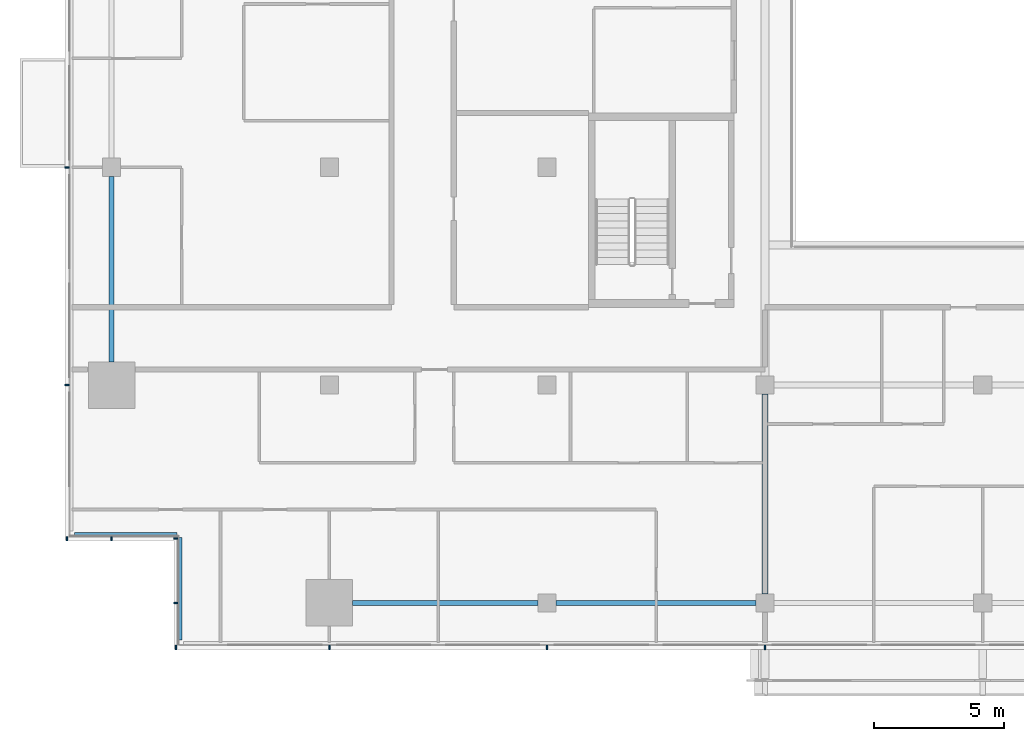
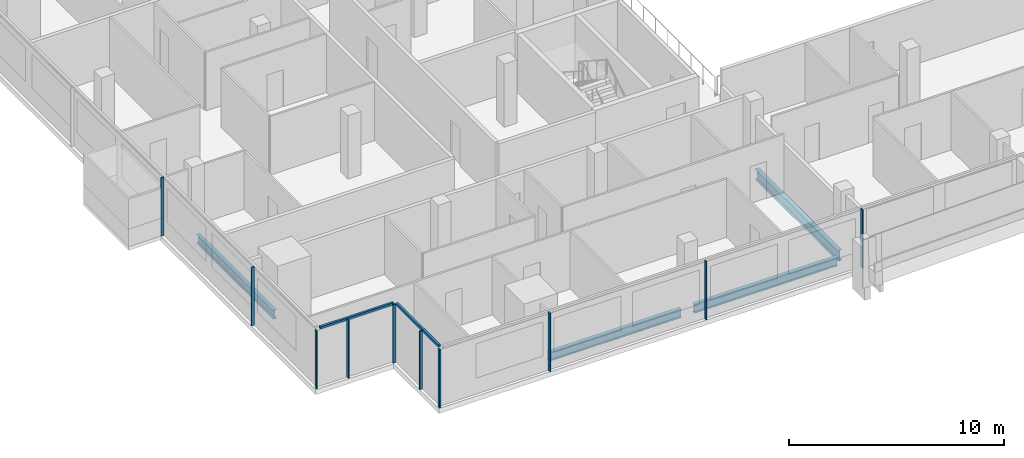
# One storey, part 2 of 27: 12 members, 4 beams, 4 elements without a shape of their own.
"""IFC4 building model written with IfcOpenShell, lengths in metres."""

import ifcopenshell
import ifcopenshell.guid

model = None  # the IFC model being written
_history = None  # IfcOwnerHistory: only IFC2X3 demands one
_inside = {}  # id of a spatial element -> (the spatial element, [elements in it])
_under = {}  # id of a project, library or spatial element -> (it, [spatial elements below it])
_declared = {}  # id of a project -> (the project, [libraries it declares])
_typed = {}  # id of a type object -> (the type object, [elements of that type])
_made_of = {}  # id of a material, layer set ... -> (it, [elements and type objects made of it])


def new_model(schema):
    """Start an empty IFC model of exactly this schema.

    Asked for "IFC4X3", IfcOpenShell would pick the latest addendum, in which some entities
    have other attributes; the version numbers below select the first issue.
    IFC2X3 requires an IfcOwnerHistory on every rooted entity: one is made here for all.
    """
    global model, _history
    if schema == "IFC4X3":
        model = ifcopenshell.file(schema_version=(4, 3, 0, 0))
    else:
        model = ifcopenshell.file(schema=schema)
    _inside.clear()
    _under.clear()
    _declared.clear()
    _typed.clear()
    _made_of.clear()
    _history = None
    if model.schema == "IFC2X3":
        org = make("IfcOrganization", Name="unknown")
        user = make(
            "IfcPersonAndOrganization",
            ThePerson=make("IfcPerson", FamilyName="unknown"),
            TheOrganization=org,
        )
        app = make(
            "IfcApplication",
            ApplicationDeveloper=org,
            Version="unknown",
            ApplicationFullName="unknown",
            ApplicationIdentifier="unknown",
        )
        _history = make(
            "IfcOwnerHistory",
            OwningUser=user,
            OwningApplication=app,
            ChangeAction="ADDED",
            CreationDate=0,
        )
    return model


def make(cls, **values):
    """One entity of the class cls with the attributes given. An attribute that is None is left unset."""
    return model.create_entity(
        cls, **{name: value for name, value in values.items() if value is not None}
    )


def rooted(cls, **values):
    """An entity with a GlobalId (a new one), such as an element, a storey or a relation."""
    return make(cls, GlobalId=ifcopenshell.guid.new(), OwnerHistory=_history, **values)


def si_unit(unit_type, name, prefix=None):
    """IfcSIUnit, for example si_unit("LENGTHUNIT", "METRE", prefix="MILLI")."""
    return make("IfcSIUnit", UnitType=unit_type, Prefix=prefix, Name=name)


def assignment(units):
    """IfcUnitAssignment: the units of a project."""
    return None if units is None else make("IfcUnitAssignment", Units=units)


def point(xyz):
    """IfcCartesianPoint."""
    return None if xyz is None else make("IfcCartesianPoint", Coordinates=xyz)


def direction(xyz):
    """IfcDirection."""
    return None if xyz is None else make("IfcDirection", DirectionRatios=xyz)


def frame(location, z_axis=None, x_axis=None):
    """IfcAxis2Placement3D, a coordinate frame: its origin and axes. An axis left out is left unset."""
    return make(
        "IfcAxis2Placement3D",
        Location=point(location),
        Axis=direction(z_axis),
        RefDirection=direction(x_axis),
    )


def frame_2d(location, x_axis=None):
    """IfcAxis2Placement2D, a coordinate frame in the plane: its origin and x axis."""
    return make(
        "IfcAxis2Placement2D", Location=point(location), RefDirection=direction(x_axis)
    )


def origin():
    """The frame at (0, 0, 0) with its axes left unset."""
    return frame((0.0, 0.0, 0.0))


def origin_2d():
    """The frame at (0, 0) in the plane with its x axis left unset."""
    return frame_2d((0.0, 0.0))


def place(relative_to, where):
    """IfcLocalPlacement: puts the frame where relative to a parent placement (None: the world)."""
    return make(
        "IfcLocalPlacement", PlacementRelTo=relative_to, RelativePlacement=where
    )


def context(
    kind, dimensions, precision=None, world=None, true_north=None, identifier=None
):
    """IfcGeometricRepresentationContext, for example the 3D "Model" context."""
    return make(
        "IfcGeometricRepresentationContext",
        ContextIdentifier=identifier,
        ContextType=kind,
        CoordinateSpaceDimension=dimensions,
        Precision=precision,
        WorldCoordinateSystem=world,
        TrueNorth=true_north,
    )


def subcontext(parent, identifier, kind, view, scale=None):
    """IfcGeometricRepresentationSubContext, for example "Body" below "Model"."""
    return make(
        "IfcGeometricRepresentationSubContext",
        ContextIdentifier=identifier,
        ContextType=kind,
        ParentContext=parent,
        TargetScale=scale,
        TargetView=view,
    )


def project(units=None, contexts=None):
    """IfcProject with its units and contexts."""
    return rooted(
        "IfcProject",
        Name="project",
        RepresentationContexts=contexts,
        UnitsInContext=assignment(units),
    )


def spatial(cls, under=None, at=None, **own):
    """A site, building, storey or space (cls), placed at a placement, below another one or the project."""
    s = rooted(cls, ObjectPlacement=at, **own)
    if under is not None:
        _under.setdefault(under.id(), (under, []))[1].append(s)
    return s


def profile(cls, at=None, kind="AREA", **sizes):
    """A parametric profile (cls). Its sizes go by their IFC names, for example OverallWidth=200.0."""
    return make(cls, ProfileType=kind, Position=at, **sizes)


def rectangle(**sizes):
    """IfcRectangleProfileDef."""
    return profile("IfcRectangleProfileDef", **sizes)


def i_section(**sizes):
    """IfcIShapeProfileDef."""
    return profile("IfcIShapeProfileDef", **sizes)


def extrude(swept, where, along, depth):
    """IfcExtrudedAreaSolid: the profile swept, set in the frame where, extruded along a direction by depth."""
    return make(
        "IfcExtrudedAreaSolid",
        SweptArea=swept,
        Position=where,
        ExtrudedDirection=direction(along),
        Depth=depth,
    )


def shape(context_of_items, identifier, shape_type, items):
    """IfcShapeRepresentation: the items that make up one representation, for example the "Body"."""
    return make(
        "IfcShapeRepresentation",
        ContextOfItems=context_of_items,
        RepresentationIdentifier=identifier,
        RepresentationType=shape_type,
        Items=items,
    )


def material(Name=None, Category=None):
    """IfcMaterial."""
    return make("IfcMaterial", Name=Name, Category=Category)


def material_profile(
    of_material, cross_section, Name=None, Category=None, Priority=None
):
    """IfcMaterialProfile: a cross section and its material."""
    return make(
        "IfcMaterialProfile",
        Name=Name,
        Material=of_material,
        Profile=cross_section,
        Priority=Priority,
        Category=Category,
    )


def profile_set(profiles, Name=None, composite=None):
    """IfcMaterialProfileSet."""
    return make(
        "IfcMaterialProfileSet",
        Name=Name,
        MaterialProfiles=profiles,
        CompositeProfile=composite,
    )


def made_of(thing, what):
    """Note that an element or type object is made of a material, layer set ...; save() writes the relation."""
    if what is not None:
        _made_of.setdefault(what.id(), (what, []))[1].append(thing)
    return thing


def type_object(cls, material=None, **own):
    """A type object (cls), such as IfcWallType, which elements share."""
    return made_of(rooted(cls, **own), material)


def element(
    cls,
    number,
    at=None,
    inside=None,
    cuts=None,
    type_object=None,
    material=None,
    context=None,
    identifier="Body",
    shape_type=None,
    held_by="IfcProductDefinitionShape",
    body=None,
    shapes=None,
    **own,
):
    """One element of the class cls, such as IfcWall. Its Tag is "e" and its number.

    at: its placement. inside: the storey or other place that contains it. cuts: it is an
    opening in that element (IfcRelVoidsElement). A single representation is given by context,
    identifier, shape_type and body (its items); several are given by shapes. held_by: the class
    of the entity that holds the representations. save() writes the other relations.
    """
    e = rooted(cls, Tag="e%d" % number, ObjectPlacement=at, **own)
    if body is not None:
        shapes = [shape(context, identifier, shape_type, body)]
    if shapes is not None:
        e.Representation = make(held_by, Representations=shapes)
    if inside is not None:
        _inside.setdefault(inside.id(), (inside, []))[1].append(e)
    if cuts is not None:
        rooted(
            "IfcRelVoidsElement", RelatingBuildingElement=cuts, RelatedOpeningElement=e
        )
    if type_object is not None:
        _typed.setdefault(type_object.id(), (type_object, []))[1].append(e)
    return made_of(e, material)


def aggregate(whole, parts):
    """IfcRelAggregates: a whole, such as a stair, and the parts it consists of."""
    return rooted("IfcRelAggregates", RelatingObject=whole, RelatedObjects=parts)


def save(model, path):
    """Write the relations noted so far, then the file.

    IfcRelAggregates (storeys below a building ...), IfcRelContainedInSpatialStructure (elements
    in a storey), IfcRelDefinesByType, IfcRelAssociatesMaterial and IfcRelDeclares: one each for
    every whole, place, type object, material and project.
    """
    for whole, parts in _under.values():
        aggregate(whole, parts)
    for where, things in _inside.values():
        rooted(
            "IfcRelContainedInSpatialStructure",
            RelatedElements=things,
            RelatingStructure=where,
        )
    for kind, things in _typed.values():
        rooted("IfcRelDefinesByType", RelatedObjects=things, RelatingType=kind)
    for what, things in _made_of.values():
        rooted("IfcRelAssociatesMaterial", RelatedObjects=things, RelatingMaterial=what)
    for by, libraries in _declared.values():
        rooted("IfcRelDeclares", RelatingContext=by, RelatedDefinitions=libraries)
    model.write(path)


model = new_model("IFC4")

# Units and contexts
model_context = context("Model", 3, precision=1e-05, world=origin(), true_north=direction((0.0, 1.0)))
body_context = subcontext(model_context, "Body", "Model", "MODEL_VIEW")
ifc_project = project(units=[si_unit("LENGTHUNIT", "METRE"), si_unit("AREAUNIT", "SQUARE_METRE"), si_unit("VOLUMEUNIT", "CUBIC_METRE"), si_unit("PLANEANGLEUNIT", "RADIAN"), si_unit("MASSUNIT", "GRAM", prefix="KILO")], contexts=[model_context])

# Site, building, storey
site_placement = place(None, origin())
site = spatial("IfcSite", under=ifc_project, at=site_placement, CompositionType="ELEMENT")
building_placement = place(site_placement, origin())
building = spatial("IfcBuilding", under=site, at=building_placement, Name="Saffron Gate Tower", CompositionType="ELEMENT")
storey_placement = place(building_placement, frame((0.0, 0.0, 172.64990234375)))
storey = spatial("IfcBuildingStorey", under=building, at=storey_placement, Name="L42", CompositionType="ELEMENT", Elevation=172.64990234375)

# Beams
ifc_material_1 = material(Name="Structural steel S355", Category="steel")
ifc_material_profile_1 = material_profile(ifc_material_1, i_section(OverallWidth=0.199951171875, OverallDepth=0.5, WebThickness=0.01025390625, FlangeThickness=0.01611328125, FilletRadius=0.02099609375, at=origin_2d()))
ifc_profile_set_1 = profile_set([ifc_material_profile_1], Name="Structural steel S355")
beam_type_1 = type_object("IfcBeamType", Name="B11 IPE 500", PredefinedType="SPANDREL", material=ifc_profile_set_1)
for number, where, z_axis, x_axis, name in (
    (1, (49.800048828125, 41.10009765625, -0.52978515625), (0.0, 1.0, 0.0), (-1.0, 0.0, 0.0), "B11 SPANDREL BEAM"),
    (2, (59.10009765625, 31.800048828125, -0.52978515625), (1.0, 0.0, 0.0), (0.0, 1.0, 0.0), "B11 SPANDREL BEAM"),
):
    element("IfcBeam", number, at=place(storey_placement, frame(where, z_axis=z_axis, x_axis=x_axis)), inside=storey, type_object=beam_type_1, Name=name, PredefinedType="SPANDREL", context=body_context, shape_type="SweptSolid", body=[
        extrude(i_section(OverallWidth=0.199951171875, OverallDepth=0.5, WebThickness=0.01025390625, FlangeThickness=0.01611328125, FilletRadius=0.02099609375, at=origin_2d()), origin(), (0.0, 0.0, 1.0), 7.14990234375),
    ])
beam_1_placement = place(storey_placement, frame((66.949951171875, 31.800048828125, -0.52978515625), z_axis=(1.0, 0.0, 0.0), x_axis=(0.0, 1.0, 0.0)))
element("IfcBeam", 3, at=beam_1_placement, inside=storey, type_object=beam_type_1, Name="B11 SPANDREL BEAM", PredefinedType="SPANDREL", context=body_context, shape_type="SweptSolid", body=[
    extrude(i_section(OverallWidth=0.199951171875, OverallDepth=0.5, WebThickness=0.01025390625, FlangeThickness=0.01611328125, FilletRadius=0.02099609375, at=origin_2d()), origin(), (0.0, 0.0, 1.0), 7.699951171875),
])
ifc_material_profile_2 = material_profile(ifc_material_1, i_section(OverallWidth=0.219970703125, OverallDepth=0.60009765625, WebThickness=0.011962890625, FlangeThickness=0.01904296875, FilletRadius=0.02392578125, at=origin_2d()))
ifc_profile_set_2 = profile_set([ifc_material_profile_2], Name="Structural steel S355")
beam_type_2 = type_object("IfcBeamType", Name="B15 IPE 600", PredefinedType="BEAM", material=ifc_profile_set_2)
beam_2_placement = place(storey_placement, frame((75.0, 32.14990234375, -0.579833984375), z_axis=(0.0, 1.0, 0.0), x_axis=(-1.0, 0.0, 0.0)))
element("IfcBeam", 4, at=beam_2_placement, inside=storey, type_object=beam_type_2, Name="B15 FLOOR GIRDER", PredefinedType="BEAM", context=body_context, shape_type="SweptSolid", body=[
    extrude(i_section(OverallWidth=0.219970703125, OverallDepth=0.60009765625, WebThickness=0.011962890625, FlangeThickness=0.01904296875, FilletRadius=0.02392578125, at=origin_2d()), origin(), (0.0, 0.0, 1.0), 7.7001953125),
])

# Curtain wall, members
ifc_material_2 = material(Name="Aluminium, bronze anodised", Category="aluminium")
curtain_wall_type_1 = type_object("IfcCurtainWallType", Name="CWS1 curtain wall front facade", PredefinedType="NOTDEFINED", material=ifc_material_2)
curtain_wall_1_placement = place(storey_placement, origin())
curtain_wall_1 = element("IfcCurtainWall", 5, at=curtain_wall_1_placement, inside=storey, type_object=curtain_wall_type_1, Name="CWS1 run 1", PredefinedType="NOTDEFINED")
ifc_material_profile_3 = material_profile(ifc_material_2, rectangle(XDim=0.159912109375, YDim=0.06005859375, at=origin_2d()))
ifc_profile_set_3 = profile_set([ifc_material_profile_3], Name="Aluminium, bronze anodised")
member_type_1 = type_object("IfcMemberType", Name="CWS1 mullion 60x160", PredefinedType="MULLION", material=ifc_profile_set_3)
member_1_placement = place(storey_placement, frame((52.280029296875, 30.080078125, 0.0), z_axis=(0.0, 0.0, 1.0), x_axis=(0.0, 1.0, 0.0)))
member_1 = element("IfcMember", 6, at=member_1_placement, type_object=member_type_1, Name="CWS1 mullion 1", PredefinedType="MULLION", context=body_context, shape_type="SweptSolid", body=[
    extrude(rectangle(XDim=0.159912109375, YDim=0.06005859375, at=origin_2d()), origin(), (0.0, 0.0, 1.0), 3.320068359375),
])
member_2_placement = place(storey_placement, frame((58.199951171875, 30.080078125, 0.0), z_axis=(0.0, 0.0, 1.0), x_axis=(0.0, 1.0, 0.0)))
member_2 = element("IfcMember", 7, at=member_2_placement, type_object=member_type_1, Name="CWS1 mullion 2", PredefinedType="MULLION", context=body_context, shape_type="SweptSolid", body=[
    extrude(rectangle(XDim=0.159912109375, YDim=0.06005859375, at=origin_2d()), origin(), (0.0, 0.0, 1.0), 3.320068359375),
])
member_3_placement = place(storey_placement, frame((66.60009765625, 30.080078125, 0.0), z_axis=(0.0, 0.0, 1.0), x_axis=(0.0, 1.0, 0.0)))
member_3 = element("IfcMember", 8, at=member_3_placement, type_object=member_type_1, Name="CWS1 mullion 3", PredefinedType="MULLION", context=body_context, shape_type="SweptSolid", body=[
    extrude(rectangle(XDim=0.159912109375, YDim=0.06005859375, at=origin_2d()), origin(), (0.0, 0.0, 1.0), 3.320068359375),
])
member_4_placement = place(storey_placement, frame((75.0, 30.080078125, 0.0), z_axis=(0.0, 0.0, 1.0), x_axis=(0.0, 1.0, 0.0)))
member_4 = element("IfcMember", 9, at=member_4_placement, type_object=member_type_1, Name="CWS1 mullion 4", PredefinedType="MULLION", context=body_context, shape_type="SweptSolid", body=[
    extrude(rectangle(XDim=0.159912109375, YDim=0.06005859375, at=origin_2d()), origin(), (0.0, 0.0, 1.0), 3.320068359375),
])
aggregate(curtain_wall_1, [member_1, member_2, member_3, member_4])

curtain_wall_type_2 = type_object("IfcCurtainWallType", Name="CWS2 curtain wall side facades", PredefinedType="NOTDEFINED", material=ifc_material_2)
curtain_wall_2_placement = place(storey_placement, origin())
curtain_wall_2 = element("IfcCurtainWall", 10, at=curtain_wall_2_placement, inside=storey, type_object=curtain_wall_type_2, Name="CWS2 run 10", PredefinedType="NOTDEFINED")
ifc_material_profile_4 = material_profile(ifc_material_2, rectangle(XDim=0.159912109375, YDim=0.06005859375, at=origin_2d()))
ifc_profile_set_4 = profile_set([ifc_material_profile_4], Name="Aluminium, bronze anodised")
member_type_2 = type_object("IfcMemberType", Name="CWS2 mullion 60x160", PredefinedType="MULLION", material=ifc_profile_set_4)
member_5_placement = place(storey_placement, frame((48.080078125, 48.60009765625, 0.0), z_axis=(0.0, 0.0, 1.0), x_axis=(1.0, 0.0, 0.0)))
member_5 = element("IfcMember", 11, at=member_5_placement, type_object=member_type_2, Name="CWS2 mullion 4", PredefinedType="MULLION", context=body_context, shape_type="SweptSolid", body=[
    extrude(rectangle(XDim=0.159912109375, YDim=0.06005859375, at=origin_2d()), origin(), (0.0, 0.0, 1.0), 3.320068359375),
])
member_6_placement = place(storey_placement, frame((48.080078125, 40.199951171875, 0.0), z_axis=(0.0, 0.0, 1.0), x_axis=(1.0, 0.0, 0.0)))
member_6 = element("IfcMember", 12, at=member_6_placement, type_object=member_type_2, Name="CWS2 mullion 5", PredefinedType="MULLION", context=body_context, shape_type="SweptSolid", body=[
    extrude(rectangle(XDim=0.159912109375, YDim=0.06005859375, at=origin_2d()), origin(), (0.0, 0.0, 1.0), 3.320068359375),
])
aggregate(curtain_wall_2, [member_5, member_6])

# Curtain wall, member
curtain_wall_type_3 = type_object("IfcCurtainWallType", Name="CWS4 curtain wall corner returns", PredefinedType="NOTDEFINED", material=ifc_material_2)
curtain_wall_3_placement = place(storey_placement, origin())
curtain_wall_3 = element("IfcCurtainWall", 13, at=curtain_wall_3_placement, inside=storey, type_object=curtain_wall_type_3, Name="CWS4 run 11", PredefinedType="NOTDEFINED")
ifc_material_profile_5 = material_profile(ifc_material_2, rectangle(XDim=0.1201171875, YDim=0.1201171875, at=origin_2d()))
ifc_profile_set_5 = profile_set([ifc_material_profile_5], Name="Aluminium, bronze anodised")
member_type_3 = type_object("IfcMemberType", Name="CWS4 head transom", PredefinedType="USERDEFINED", material=ifc_profile_set_5)
member_7_placement = place(storey_placement, frame((48.367919921875, 34.447998046875, 3.260009765625), z_axis=(1.0, 0.0, 0.0), x_axis=(0.0, 1.0, 0.0)))
member_7 = element("IfcMember", 14, at=member_7_placement, type_object=member_type_3, Name="CWS4 head transom", ObjectType="TRANSOM", PredefinedType="USERDEFINED", context=body_context, shape_type="SweptSolid", body=[
    extrude(rectangle(XDim=0.1201171875, YDim=0.1201171875, at=origin_2d()), origin(), (0.0, 0.0, 1.0), 3.9599609375),
])

curtain_wall_4_placement = place(storey_placement, origin())
curtain_wall_4 = element("IfcCurtainWall", 15, at=curtain_wall_4_placement, inside=storey, type_object=curtain_wall_type_3, Name="CWS4 run 12", PredefinedType="NOTDEFINED")
member_8_placement = place(storey_placement, frame((52.447998046875, 34.327880859375, 3.260009765625), z_axis=(0.0, -1.0, 0.0), x_axis=(1.0, 0.0, 0.0)))
member_8 = element("IfcMember", 16, at=member_8_placement, type_object=member_type_3, Name="CWS4 head transom", ObjectType="TRANSOM", PredefinedType="USERDEFINED", context=body_context, shape_type="SweptSolid", body=[
    extrude(rectangle(XDim=0.1201171875, YDim=0.1201171875, at=origin_2d()), origin(), (0.0, 0.0, 1.0), 3.9599609375),
])

# Member
ifc_material_profile_6 = material_profile(ifc_material_2, rectangle(XDim=0.159912109375, YDim=0.06005859375, at=origin_2d()))
ifc_profile_set_6 = profile_set([ifc_material_profile_6], Name="Aluminium, bronze anodised")
member_type_4 = type_object("IfcMemberType", Name="CWS4 mullion 60x160", PredefinedType="MULLION", material=ifc_profile_set_6)
member_9_placement = place(storey_placement, frame((48.080078125, 34.280029296875, 0.0), z_axis=(0.0, 0.0, 1.0), x_axis=(0.0, 1.0, 0.0)))
member_9 = element("IfcMember", 17, at=member_9_placement, type_object=member_type_4, Name="CWS4 mullion 1", PredefinedType="MULLION", context=body_context, shape_type="SweptSolid", body=[
    extrude(rectangle(XDim=0.159912109375, YDim=0.06005859375, at=origin_2d()), origin(), (0.0, 0.0, 1.0), 3.320068359375),
])

member_10_placement = place(storey_placement, frame((49.800048828125, 34.280029296875, 0.0), z_axis=(0.0, 0.0, 1.0), x_axis=(0.0, 1.0, 0.0)))
member_10 = element("IfcMember", 18, at=member_10_placement, type_object=member_type_4, Name="CWS4 mullion 2", PredefinedType="MULLION", context=body_context, shape_type="SweptSolid", body=[
    extrude(rectangle(XDim=0.159912109375, YDim=0.06005859375, at=origin_2d()), origin(), (0.0, 0.0, 1.0), 3.320068359375),
])

aggregate(curtain_wall_3, [member_9, member_10, member_7])

member_11_placement = place(storey_placement, frame((52.280029296875, 34.280029296875, 0.0), z_axis=(0.0, 0.0, 1.0), x_axis=(1.0, 0.0, 0.0)))
member_11 = element("IfcMember", 19, at=member_11_placement, type_object=member_type_4, Name="CWS4 mullion 1", PredefinedType="MULLION", context=body_context, shape_type="SweptSolid", body=[
    extrude(rectangle(XDim=0.159912109375, YDim=0.06005859375, at=origin_2d()), origin(), (0.0, 0.0, 1.0), 3.320068359375),
])

member_12_placement = place(storey_placement, frame((52.280029296875, 31.800048828125, 0.0), z_axis=(0.0, 0.0, 1.0), x_axis=(1.0, 0.0, 0.0)))
member_12 = element("IfcMember", 20, at=member_12_placement, type_object=member_type_4, Name="CWS4 mullion 2", PredefinedType="MULLION", context=body_context, shape_type="SweptSolid", body=[
    extrude(rectangle(XDim=0.159912109375, YDim=0.06005859375, at=origin_2d()), origin(), (0.0, 0.0, 1.0), 3.320068359375),
])

aggregate(curtain_wall_4, [member_11, member_12, member_8])

save(model, "model.ifc")
